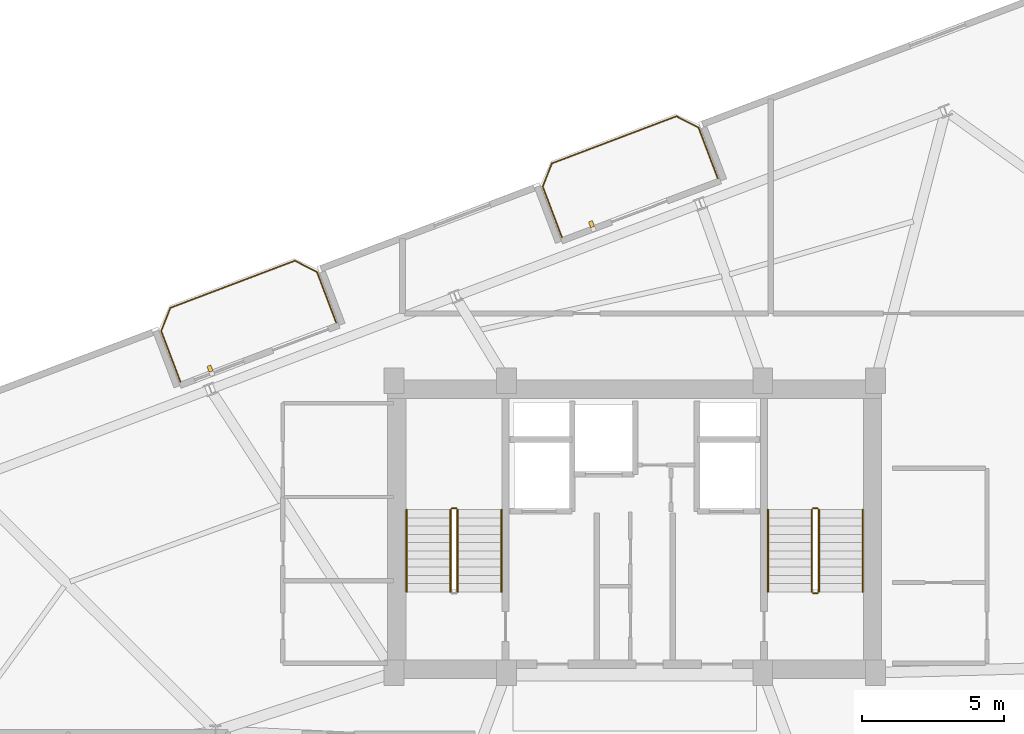
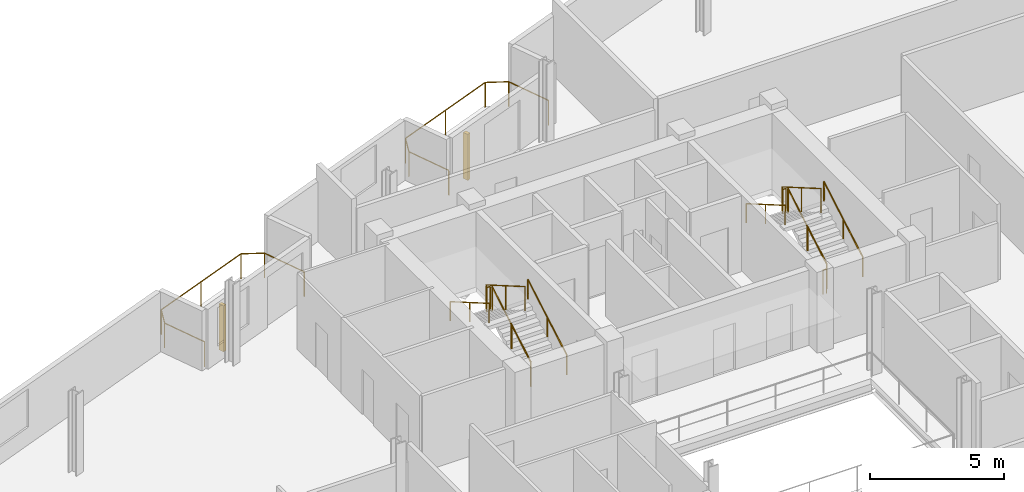
# One storey, part 20 of 20: 13 railings, 2 shading devices.
"""IFC4 building model written with IfcOpenShell, lengths in metres."""

from ifc_helpers import new_model, si_unit, direction, frame, origin, origin_2d, place, context, subcontext, project, spatial, rectangle, circle, extrude, source, transform, mapped, material, type_object, element, save


model = new_model("IFC4")

# Units and contexts
model_context = context("Model", 3, precision=1e-05, world=origin(), true_north=direction((0.0, 1.0)))
body_context = subcontext(model_context, "Body", "Model", "MODEL_VIEW")
ifc_project = project(units=[si_unit("LENGTHUNIT", "METRE"), si_unit("AREAUNIT", "SQUARE_METRE"), si_unit("VOLUMEUNIT", "CUBIC_METRE"), si_unit("PLANEANGLEUNIT", "RADIAN"), si_unit("MASSUNIT", "GRAM", prefix="KILO")], contexts=[model_context])

# Site, building, storey
site_placement = place(None, origin())
site = spatial("IfcSite", under=ifc_project, at=site_placement, CompositionType="ELEMENT")
building_placement = place(site_placement, origin())
building = spatial("IfcBuilding", under=site, at=building_placement, Name="Varnelok Gate Tower", CompositionType="ELEMENT")
storey_placement = place(building_placement, frame((0.0, 0.0, 223.800048828125)))
storey = spatial("IfcBuildingStorey", under=building, at=storey_placement, Name="L57", CompositionType="ELEMENT", Elevation=223.800048828125)

# Railings
ifc_material_1 = material(Name="Low-E Laminated Double Glazing IGU", Category="glass")
railing_type_1 = type_object("IfcRailingType", Name="RL-BALC-1150", PredefinedType="BALUSTRADE", material=ifc_material_1)
railing_1_placement = place(storey_placement, frame((23.166748046875, 39.011474609375, 0.0)))
element("IfcRailing", 1, at=railing_1_placement, inside=storey, type_object=railing_type_1, Name="L57 North Terrace Balustrade 3", PredefinedType="BALUSTRADE", context=body_context, shape_type="SweptSolid", body=[
    extrude(circle(Radius=0.02392578125, at=origin_2d()), frame((0.0, 0.0, 1.1259765625), z_axis=(-0.354159661475, 0.935184973245, 0.0), x_axis=(-0.935184973245, -0.354159661475, 0.0)), (0.0, 0.0, 1.0), 1.919921875),
    extrude(circle(Radius=0.02392578125, at=origin_2d()), frame((-0.679931640625, 1.79541015625, 1.1259765625), z_axis=(0.366495340819, 0.93041988648, 0.0), x_axis=(-0.93041988648, 0.366495340819, 0.0)), (0.0, 0.0, 1.0), 0.8779296875),
    extrude(circle(Radius=0.02392578125, at=origin_2d()), frame((-0.358154296875, 2.6123046875, 1.1259765625), z_axis=(0.935223045203, 0.354059113314, 0.0), x_axis=(-0.354059113314, 0.935223045203, 0.0)), (0.0, 0.0, 1.0), 4.699951171875),
    extrude(circle(Radius=0.02392578125, at=origin_2d()), frame((4.037353515625, 4.2763671875, 1.1259765625), z_axis=(0.89078254773, -0.454429810487, 0.0), x_axis=(0.454429810487, 0.89078254773, 0.0)), (0.0, 0.0, 1.0), 0.8779296875),
    extrude(circle(Radius=0.02392578125, at=origin_2d()), frame((4.8193359375, 3.87744140625, 1.1259765625), z_axis=(0.354006333352, -0.935243025073, 0.0), x_axis=(0.935243025073, 0.354006333352, 0.0)), (0.0, 0.0, 1.0), 1.919921875),
    extrude(circle(Radius=0.02099609375, at=origin_2d()), origin(), (0.0, 0.0, 1.0), 1.101806640625),
    extrude(circle(Radius=0.02099609375, at=origin_2d()), frame((-0.679931640625, 1.79541015625, 0.0)), (0.0, 0.0, 1.0), 1.101806640625),
    extrude(circle(Radius=0.02099609375, at=origin_2d()), frame((-0.358154296875, 2.6123046875, 0.0)), (0.0, 0.0, 1.0), 1.101806640625),
    extrude(circle(Radius=0.02099609375, at=origin_2d()), frame((1.839599609375, 3.4443359375, 0.0)), (0.0, 0.0, 1.0), 1.101806640625),
    extrude(circle(Radius=0.02099609375, at=origin_2d()), frame((4.037353515625, 4.2763671875, 0.0)), (0.0, 0.0, 1.0), 1.101806640625),
    extrude(circle(Radius=0.02099609375, at=origin_2d()), frame((4.8193359375, 3.87744140625, 0.0)), (0.0, 0.0, 1.0), 1.101806640625),
    extrude(circle(Radius=0.02099609375, at=origin_2d()), frame((5.4990234375, 2.081787109375, 0.0)), (0.0, 0.0, 1.0), 1.101806640625),
])
railing_2_placement = place(storey_placement, frame((36.6337890625, 44.10986328125, 0.0)))
element("IfcRailing", 2, at=railing_2_placement, inside=storey, type_object=railing_type_1, Name="L57 North Terrace Balustrade 4", PredefinedType="BALUSTRADE", context=body_context, shape_type="SweptSolid", body=[
    extrude(circle(Radius=0.02392578125, at=origin_2d()), frame((0.0, 0.0, 1.1259765625), z_axis=(-0.354006333352, 0.935243025073, 0.0), x_axis=(-0.935243025073, -0.354006333352, 0.0)), (0.0, 0.0, 1.0), 1.919921875),
    extrude(circle(Radius=0.02392578125, at=origin_2d()), frame((-0.6796875, 1.795654296875, 1.1259765625), z_axis=(0.366254584666, 0.930514685113, 0.0), x_axis=(-0.930514685113, 0.366254584666, 0.0)), (0.0, 0.0, 1.0), 0.8779296875),
    extrude(circle(Radius=0.02392578125, at=origin_2d()), frame((-0.358154296875, 2.612548828125, 1.1259765625), z_axis=(0.935229556479, 0.354041913744, 0.0), x_axis=(-0.354041913744, 0.935229556479, 0.0)), (0.0, 0.0, 1.0), 4.7001953125),
    extrude(circle(Radius=0.02392578125, at=origin_2d()), frame((4.03759765625, 4.276611328125, 1.1259765625), z_axis=(0.890612455555, -0.454763074589, 0.0), x_axis=(0.454763074589, 0.890612455555, 0.0)), (0.0, 0.0, 1.0), 0.877685546875),
    extrude(circle(Radius=0.02392578125, at=origin_2d()), frame((4.8193359375, 3.87744140625, 1.1259765625), z_axis=(0.354159661475, -0.935184973245, 0.0), x_axis=(0.935184973245, 0.354159661475, 0.0)), (0.0, 0.0, 1.0), 1.919921875),
    extrude(circle(Radius=0.02099609375, at=origin_2d()), origin(), (0.0, 0.0, 1.0), 1.101806640625),
    extrude(circle(Radius=0.02099609375, at=origin_2d()), frame((-0.6796875, 1.795654296875, 0.0)), (0.0, 0.0, 1.0), 1.101806640625),
    extrude(circle(Radius=0.02099609375, at=origin_2d()), frame((-0.358154296875, 2.612548828125, 0.0)), (0.0, 0.0, 1.0), 1.101806640625),
    extrude(circle(Radius=0.02099609375, at=origin_2d()), frame((1.83984375, 3.444580078125, 0.0)), (0.0, 0.0, 1.0), 1.101806640625),
    extrude(circle(Radius=0.02099609375, at=origin_2d()), frame((4.03759765625, 4.276611328125, 0.0)), (0.0, 0.0, 1.0), 1.101806640625),
    extrude(circle(Radius=0.02099609375, at=origin_2d()), frame((4.8193359375, 3.87744140625, 0.0)), (0.0, 0.0, 1.0), 1.101806640625),
    extrude(circle(Radius=0.02099609375, at=origin_2d()), frame((5.499267578125, 2.08203125, 0.0)), (0.0, 0.0, 1.0), 1.101806640625),
])
ifc_material_2 = material(Name="Brushed Stainless Steel AISI 316", Category="steel")
railing_type_2 = type_object("IfcRailingType", Name="RL-HANDRAIL-900", PredefinedType="HANDRAIL", material=ifc_material_2)
railing_3_placement = place(storey_placement, frame((34.5, 31.60009765625, 0.168212890625)))
element("IfcRailing", 3, at=railing_3_placement, inside=storey, type_object=railing_type_2, Name="L57 ST-1 stair handrail 1", PredefinedType="HANDRAIL", context=body_context, shape_type="SweptSolid", body=[
    extrude(circle(Radius=0.02392578125, at=origin_2d()), frame((0.0, 0.0, 0.8759765625), z_axis=(0.0, 0.86507038078, 0.501650512107), x_axis=(-1.0, 0.0, 0.0)), (0.0, 0.0, 1.0), 3.352294921875),
    extrude(circle(Radius=0.02099609375, at=origin_2d()), origin(), (0.0, 0.0, 1.0), 0.851806640625),
    extrude(circle(Radius=0.02099609375, at=origin_2d()), frame((0.0, 1.449951171875, 0.8408203125)), (0.0, 0.0, 1.0), 0.851806640625),
    extrude(circle(Radius=0.02099609375, at=origin_2d()), frame((0.0, 2.89990234375, 1.681640625)), (0.0, 0.0, 1.0), 0.851806640625),
])
railing_4_placement = place(storey_placement, frame((31.14990234375, 34.5, 2.01806640625)))
element("IfcRailing", 4, at=railing_4_placement, inside=storey, type_object=railing_type_2, Name="L57 ST-1 stair handrail 2", PredefinedType="HANDRAIL", context=body_context, shape_type="SweptSolid", body=[
    extrude(circle(Radius=0.02392578125, at=origin_2d()), frame((0.0, 0.0, 0.8759765625), z_axis=(0.0, -0.865038774852, 0.501705010941), x_axis=(1.0, 0.0, 0.0)), (0.0, 0.0, 1.0), 3.352294921875),
    extrude(circle(Radius=0.02099609375, at=origin_2d()), origin(), (0.0, 0.0, 1.0), 0.851806640625),
    extrude(circle(Radius=0.02099609375, at=origin_2d()), frame((0.0, -1.449951171875, 0.8408203125)), (0.0, 0.0, 1.0), 0.851806640625),
    extrude(circle(Radius=0.02099609375, at=origin_2d()), frame((0.0, -2.89990234375, 1.681884765625)), (0.0, 0.0, 1.0), 0.851806640625),
])
railing_5_placement = place(storey_placement, frame((47.25, 31.60009765625, 0.168212890625)))
element("IfcRailing", 5, at=railing_5_placement, inside=storey, type_object=railing_type_2, Name="L57 ST-2 stair handrail 1", PredefinedType="HANDRAIL", context=body_context, shape_type="SweptSolid", body=[
    extrude(circle(Radius=0.02392578125, at=origin_2d()), frame((0.0, 0.0, 0.8759765625), z_axis=(0.0, 0.86507038078, 0.501650512107), x_axis=(-1.0, 0.0, 0.0)), (0.0, 0.0, 1.0), 3.352294921875),
    extrude(circle(Radius=0.02099609375, at=origin_2d()), origin(), (0.0, 0.0, 1.0), 0.851806640625),
    extrude(circle(Radius=0.02099609375, at=origin_2d()), frame((0.0, 1.449951171875, 0.8408203125)), (0.0, 0.0, 1.0), 0.851806640625),
    extrude(circle(Radius=0.02099609375, at=origin_2d()), frame((0.0, 2.89990234375, 1.681640625)), (0.0, 0.0, 1.0), 0.851806640625),
])
railing_6_placement = place(storey_placement, frame((43.89990234375, 34.5, 2.01806640625)))
element("IfcRailing", 6, at=railing_6_placement, inside=storey, type_object=railing_type_2, Name="L57 ST-2 stair handrail 2", PredefinedType="HANDRAIL", context=body_context, shape_type="SweptSolid", body=[
    extrude(circle(Radius=0.02392578125, at=origin_2d()), frame((0.0, 0.0, 0.8759765625), z_axis=(0.0, -0.865038774852, 0.501705010941), x_axis=(1.0, 0.0, 0.0)), (0.0, 0.0, 1.0), 3.352294921875),
    extrude(circle(Radius=0.02099609375, at=origin_2d()), origin(), (0.0, 0.0, 1.0), 0.851806640625),
    extrude(circle(Radius=0.02099609375, at=origin_2d()), frame((0.0, -1.449951171875, 0.8408203125)), (0.0, 0.0, 1.0), 0.851806640625),
    extrude(circle(Radius=0.02099609375, at=origin_2d()), frame((0.0, -2.89990234375, 1.681884765625)), (0.0, 0.0, 1.0), 0.851806640625),
])
ifc_material_3 = material(Name="Galvanized Steel Grade S350GD", Category="steel")
railing_type_3 = type_object("IfcRailingType", Name="RL-STAIR-GUARD1120", PredefinedType="GUARDRAIL", material=ifc_material_3)
railing_7_placement = place(storey_placement, frame((32.949951171875, 31.60009765625, 0.168212890625)))
element("IfcRailing", 7, at=railing_7_placement, inside=storey, type_object=railing_type_3, Name="L57 ST-1 stair guard 1", PredefinedType="GUARDRAIL", context=body_context, shape_type="SweptSolid", body=[
    extrude(circle(Radius=0.02392578125, at=origin_2d()), frame((0.0, 0.0, 1.09619140625), z_axis=(0.0, 0.86507038078, 0.501650512107), x_axis=(-1.0, 0.0, 0.0)), (0.0, 0.0, 1.0), 3.352294921875),
    extrude(circle(Radius=0.02099609375, at=origin_2d()), origin(), (0.0, 0.0, 1.0), 1.072021484375),
    extrude(circle(Radius=0.02099609375, at=origin_2d()), frame((0.0, 1.449951171875, 0.8408203125)), (0.0, 0.0, 1.0), 1.072021484375),
    extrude(circle(Radius=0.02099609375, at=origin_2d()), frame((0.0, 2.89990234375, 1.681640625)), (0.0, 0.0, 1.0), 1.072021484375),
])
railing_8_placement = place(storey_placement, frame((32.89990234375, 34.550048828125, 1.849853515625)))
element("IfcRailing", 8, at=railing_8_placement, inside=storey, type_object=railing_type_3, Name="L57 ST-1 stair guard 2", PredefinedType="GUARDRAIL", context=body_context, shape_type="SweptSolid", body=[
    extrude(circle(Radius=0.02392578125, at=origin_2d()), frame((0.0, 0.0, 1.09619140625), z_axis=(-1.0, 0.0, 0.0), x_axis=(0.0, -1.0, 0.0)), (0.0, 0.0, 1.0), 0.14990234375),
    extrude(circle(Radius=0.02099609375, at=origin_2d()), origin(), (0.0, 0.0, 1.0), 1.072021484375),
    extrude(circle(Radius=0.02099609375, at=origin_2d()), frame((-0.14990234375, 0.0, 0.0)), (0.0, 0.0, 1.0), 1.072021484375),
])
railing_9_placement = place(storey_placement, frame((32.699951171875, 34.5, 2.01806640625)))
element("IfcRailing", 9, at=railing_9_placement, inside=storey, type_object=railing_type_3, Name="L57 ST-1 stair guard 3", PredefinedType="GUARDRAIL", context=body_context, shape_type="SweptSolid", body=[
    extrude(circle(Radius=0.02392578125, at=origin_2d()), frame((0.0, 0.0, 1.09619140625), z_axis=(0.0, -0.865038774852, 0.501705010941), x_axis=(1.0, 0.0, 0.0)), (0.0, 0.0, 1.0), 3.352294921875),
    extrude(circle(Radius=0.02099609375, at=origin_2d()), origin(), (0.0, 0.0, 1.0), 1.072021484375),
    extrude(circle(Radius=0.02099609375, at=origin_2d()), frame((0.0, -1.449951171875, 0.8408203125)), (0.0, 0.0, 1.0), 1.072021484375),
    extrude(circle(Radius=0.02099609375, at=origin_2d()), frame((0.0, -2.89990234375, 1.681884765625)), (0.0, 0.0, 1.0), 1.072021484375),
])
railing_10_placement = place(storey_placement, frame((45.699951171875, 31.60009765625, 0.168212890625)))
element("IfcRailing", 10, at=railing_10_placement, inside=storey, type_object=railing_type_3, Name="L57 ST-2 stair guard 1", PredefinedType="GUARDRAIL", context=body_context, shape_type="SweptSolid", body=[
    extrude(circle(Radius=0.02392578125, at=origin_2d()), frame((0.0, 0.0, 1.09619140625), z_axis=(0.0, 0.86507038078, 0.501650512107), x_axis=(-1.0, 0.0, 0.0)), (0.0, 0.0, 1.0), 3.352294921875),
    extrude(circle(Radius=0.02099609375, at=origin_2d()), origin(), (0.0, 0.0, 1.0), 1.072021484375),
    extrude(circle(Radius=0.02099609375, at=origin_2d()), frame((0.0, 1.449951171875, 0.8408203125)), (0.0, 0.0, 1.0), 1.072021484375),
    extrude(circle(Radius=0.02099609375, at=origin_2d()), frame((0.0, 2.89990234375, 1.681640625)), (0.0, 0.0, 1.0), 1.072021484375),
])
railing_11_placement = place(storey_placement, frame((45.64990234375, 34.550048828125, 1.849853515625)))
element("IfcRailing", 11, at=railing_11_placement, inside=storey, type_object=railing_type_3, Name="L57 ST-2 stair guard 2", PredefinedType="GUARDRAIL", context=body_context, shape_type="SweptSolid", body=[
    extrude(circle(Radius=0.02392578125, at=origin_2d()), frame((0.0, 0.0, 1.09619140625), z_axis=(-1.0, 0.0, 0.0), x_axis=(0.0, -1.0, 0.0)), (0.0, 0.0, 1.0), 0.14990234375),
    extrude(circle(Radius=0.02099609375, at=origin_2d()), origin(), (0.0, 0.0, 1.0), 1.072021484375),
    extrude(circle(Radius=0.02099609375, at=origin_2d()), frame((-0.14990234375, 0.0, 0.0)), (0.0, 0.0, 1.0), 1.072021484375),
])
railing_12_placement = place(storey_placement, frame((45.449951171875, 34.5, 2.01806640625)))
element("IfcRailing", 12, at=railing_12_placement, inside=storey, type_object=railing_type_3, Name="L57 ST-2 stair guard 3", PredefinedType="GUARDRAIL", context=body_context, shape_type="SweptSolid", body=[
    extrude(circle(Radius=0.02392578125, at=origin_2d()), frame((0.0, 0.0, 1.09619140625), z_axis=(0.0, -0.865038774852, 0.501705010941), x_axis=(1.0, 0.0, 0.0)), (0.0, 0.0, 1.0), 3.352294921875),
    extrude(circle(Radius=0.02099609375, at=origin_2d()), origin(), (0.0, 0.0, 1.0), 1.072021484375),
    extrude(circle(Radius=0.02099609375, at=origin_2d()), frame((0.0, -1.449951171875, 0.8408203125)), (0.0, 0.0, 1.0), 1.072021484375),
    extrude(circle(Radius=0.02099609375, at=origin_2d()), frame((0.0, -2.89990234375, 1.681884765625)), (0.0, 0.0, 1.0), 1.072021484375),
])
railing_13_placement = place(storey_placement, frame((45.64990234375, 31.550048828125, 0.0)))
element("IfcRailing", 13, at=railing_13_placement, inside=storey, type_object=railing_type_3, Name="L57 ST-2 stair guard 4", PredefinedType="GUARDRAIL", context=body_context, shape_type="SweptSolid", body=[
    extrude(circle(Radius=0.02392578125, at=origin_2d()), frame((0.0, 0.0, 1.09619140625), z_axis=(-1.0, 0.0, 0.0), x_axis=(0.0, -1.0, 0.0)), (0.0, 0.0, 1.0), 0.14990234375),
    extrude(circle(Radius=0.02099609375, at=origin_2d()), origin(), (0.0, 0.0, 1.0), 1.072021484375),
    extrude(circle(Radius=0.02099609375, at=origin_2d()), frame((-0.14990234375, 0.0, 0.0)), (0.0, 0.0, 1.0), 1.072021484375),
])

# Shading devices
ifc_material_4 = material(Name="Glazed Architectural Terracotta Ceramic", Category="masonry")
shading_device_type = type_object("IfcShadingDeviceType", Name="SHD-TERRA-FIN", PredefinedType="USERDEFINED", material=ifc_material_4)
shared_shape = source(origin(), body_context, "Body", "SweptSolid", [
    extrude(rectangle(XDim=0.139892578125, YDim=0.219970703125, at=origin_2d()), origin(), (0.0, 0.0, 1.0), 2.10009765625),
])
for number, where, z_axis, x_axis, name in (
    (14, (24.2080078125, 39.48046875, 0.099853515625), (0.0, 0.0, 1.0), (0.935221751401, 0.354062530786, 0.0), "L57 Terracotta Ceramic Baguette Sunscreen 3.1"),
    (15, (37.67529296875, 44.5791015625, 0.099853515625), (0.0, 0.0, 1.0), (0.935221751401, 0.354062530786, 0.0), "L57 Terracotta Ceramic Baguette Sunscreen 4.1"),
):
    element("IfcShadingDevice", number, at=place(storey_placement, frame(where, z_axis=z_axis, x_axis=x_axis)), inside=storey, type_object=shading_device_type, Name=name, ObjectType="BAGUETTE", PredefinedType="USERDEFINED", context=body_context, shape_type="MappedRepresentation", body=[
        mapped(shared_shape, transform((0.0, 0.0, 0.0), scale=1.0)),
    ])

save(model, "model.ifc")
